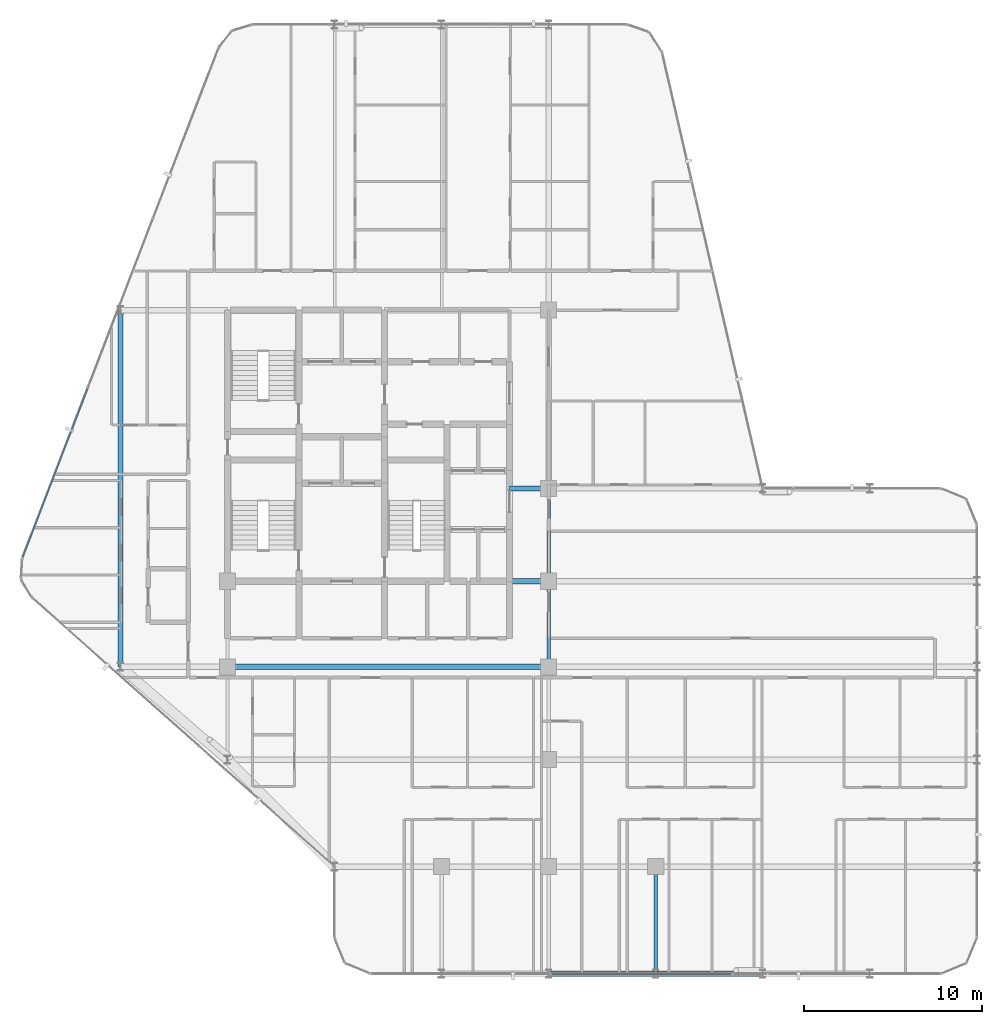
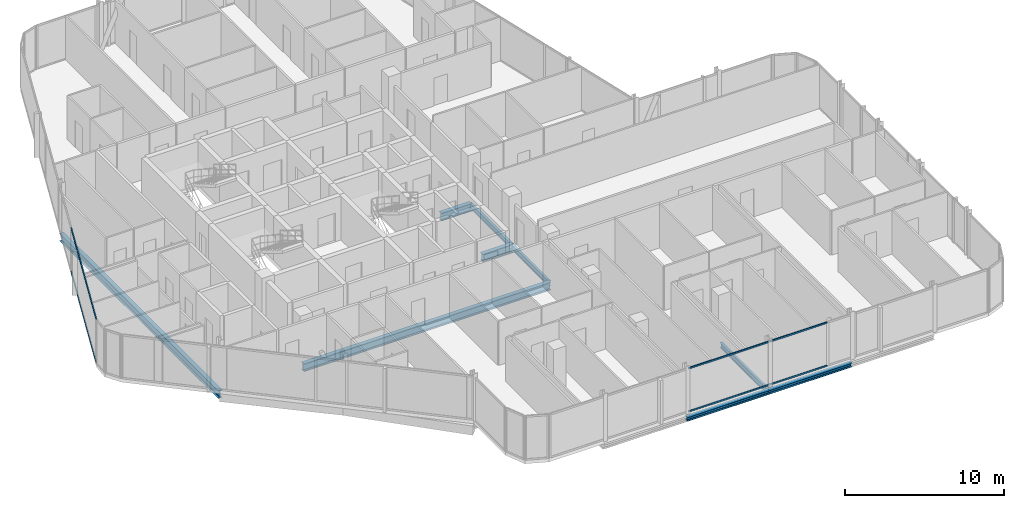
# One storey, part 9 of 29: 9 beams, 4 members, 2 elements without a shape of their own.
"""IFC4 building model written with IfcOpenShell, lengths in metres."""

from ifc_helpers import new_model, si_unit, direction, frame, origin, origin_2d, place, context, subcontext, project, spatial, hollow_rectangle, i_section, extrude, material, layer, layer_set, material_profile, profile_set, type_object, element, aggregate, save


model = new_model("IFC4")

# Units and contexts
model_context = context("Model", 3, precision=1e-05, world=origin(), true_north=direction((0.0, 1.0)))
body_context = subcontext(model_context, "Body", "Model", "MODEL_VIEW")
ifc_project = project(units=[si_unit("LENGTHUNIT", "METRE"), si_unit("AREAUNIT", "SQUARE_METRE"), si_unit("VOLUMEUNIT", "CUBIC_METRE"), si_unit("PLANEANGLEUNIT", "RADIAN"), si_unit("MASSUNIT", "GRAM", prefix="KILO")], contexts=[model_context])

# Site, building, storey
site_placement = place(None, origin())
site = spatial("IfcSite", under=ifc_project, at=site_placement, CompositionType="ELEMENT")
building_placement = place(site_placement, origin())
building = spatial("IfcBuilding", under=site, at=building_placement, Name="Keshet Zoharim Tower", CompositionType="ELEMENT")
storey_placement = place(building_placement, frame((0.0, 0.0, 180.199951171875)))
storey = spatial("IfcBuildingStorey", under=building, at=storey_placement, Name="L44", CompositionType="ELEMENT", Elevation=180.199951171875)

# Beams
ifc_material_1 = material(Name="Steel S355", Category="steel")
ifc_material_profile_1 = material_profile(ifc_material_1, i_section(OverallWidth=0.300048828125, OverallDepth=0.60009765625, WebThickness=0.015380859375, FlangeThickness=0.030029296875, FilletRadius=0.027099609375, at=origin_2d()), Name="HEB600")
ifc_profile_set_1 = profile_set([ifc_material_profile_1], Name="Steel S355")
beam_type_1 = type_object("IfcBeamType", Name="BM-CLK-HB600", PredefinedType="BEAM", material=ifc_profile_set_1)
for number, where, z_axis, x_axis, name in (
    (1, (30.800048828125, 22.699951171875, -0.60986328125), (1.0, 0.0, 0.0), (0.0, 1.0, 0.0), "L44 Core Wall Link Girder 01"),
    (2, (30.800048828125, 27.89990234375, -0.60986328125), (1.0, 0.0, 0.0), (0.0, 1.0, 0.0), "L44 Core Wall Link Girder 02"),
):
    element("IfcBeam", number, at=place(storey_placement, frame(where, z_axis=z_axis, x_axis=x_axis)), inside=storey, type_object=beam_type_1, Name=name, PredefinedType="BEAM", context=body_context, shape_type="SweptSolid", body=[
        extrude(i_section(OverallWidth=0.300048828125, OverallDepth=0.60009765625, WebThickness=0.015380859375, FlangeThickness=0.030029296875, FilletRadius=0.027099609375, at=origin_2d()), origin(), (0.0, 0.0, 1.0), 2.199951171875),
    ])
ifc_material_profile_2 = material_profile(ifc_material_1, i_section(OverallWidth=0.300048828125, OverallDepth=0.60009765625, WebThickness=0.015380859375, FlangeThickness=0.030029296875, FilletRadius=0.027099609375, at=origin_2d()), Name="HEB600")
ifc_profile_set_2 = profile_set([ifc_material_profile_2], Name="Steel S355")
beam_type_2 = type_object("IfcBeamType", Name="BM-LNG-HB600", PredefinedType="BEAM", material=ifc_profile_set_2)
beam_1_placement = place(storey_placement, frame((15.0, 17.89990234375, -0.60986328125), z_axis=(1.0, 0.0, 0.0), x_axis=(0.0, 1.0, 0.0)))
element("IfcBeam", 3, at=beam_1_placement, inside=storey, type_object=beam_type_2, Name="L44 Primary Girder X-012", PredefinedType="BEAM", context=body_context, shape_type="SweptSolid", body=[
    extrude(i_section(OverallWidth=0.300048828125, OverallDepth=0.60009765625, WebThickness=0.015380859375, FlangeThickness=0.030029296875, FilletRadius=0.027099609375, at=origin_2d()), origin(), (0.0, 0.0, 1.0), 18.0),
])
beam_2_placement = place(storey_placement, frame((9.0, 17.89990234375, -0.60986328125), z_axis=(0.0, 1.0, 0.0), x_axis=(-1.0, 0.0, 0.0)))
element("IfcBeam", 4, at=beam_2_placement, inside=storey, type_object=beam_type_2, Name="L44 Primary Girder Y-001", PredefinedType="BEAM", context=body_context, shape_type="SweptSolid", body=[
    extrude(i_section(OverallWidth=0.300048828125, OverallDepth=0.60009765625, WebThickness=0.015380859375, FlangeThickness=0.030029296875, FilletRadius=0.027099609375, at=origin_2d()), origin(), (0.0, 0.0, 1.0), 20.0),
])
ifc_material_profile_3 = material_profile(ifc_material_1, i_section(OverallWidth=0.300048828125, OverallDepth=0.300048828125, WebThickness=0.010986328125, FlangeThickness=0.01904296875, FilletRadius=0.027099609375, at=origin_2d()), Name="HEB300")
ifc_profile_set_3 = profile_set([ifc_material_profile_3], Name="Steel S355")
beam_type_3 = type_object("IfcBeamType", Name="BM-PRI-HB300", PredefinedType="BEAM", material=ifc_profile_set_3)
for number, where, z_axis, x_axis, name in (
    (5, (33.0, 0.699951171875, -0.4599609375), (1.0, 0.0, 0.0), (0.0, 1.0, 0.0), "L44 Primary Girder X-002"),
    (6, (39.0, 0.699951171875, -0.4599609375), (1.0, 0.0, 0.0), (0.0, 1.0, 0.0), "L44 Primary Girder X-003"),
):
    element("IfcBeam", number, at=place(storey_placement, frame(where, z_axis=z_axis, x_axis=x_axis)), inside=storey, type_object=beam_type_3, Name=name, PredefinedType="BEAM", context=body_context, shape_type="SweptSolid", body=[
        extrude(i_section(OverallWidth=0.300048828125, OverallDepth=0.300048828125, WebThickness=0.010986328125, FlangeThickness=0.01904296875, FilletRadius=0.027099609375, at=origin_2d()), origin(), (0.0, 0.0, 1.0), 6.0),
    ])
ifc_material_profile_4 = material_profile(ifc_material_1, i_section(OverallWidth=0.179931640625, OverallDepth=0.39990234375, WebThickness=0.008544921875, FlangeThickness=0.013427734375, FilletRadius=0.02099609375, at=origin_2d()), Name="IPE400")
ifc_profile_set_4 = profile_set([ifc_material_profile_4], Name="Steel S355")
beam_type_4 = type_object("IfcBeamType", Name="BM-PRI-IP400", PredefinedType="BEAM", material=ifc_profile_set_4)
beam_3_placement = place(storey_placement, frame((33.0, 17.89990234375, -0.510009765625), z_axis=(0.0, 1.0, 0.0), x_axis=(-1.0, 0.0, 0.0)))
element("IfcBeam", 7, at=beam_3_placement, inside=storey, type_object=beam_type_4, Name="L44 Primary Girder Y-008", PredefinedType="BEAM", context=body_context, shape_type="SweptSolid", body=[
    extrude(i_section(OverallWidth=0.179931640625, OverallDepth=0.39990234375, WebThickness=0.008544921875, FlangeThickness=0.013427734375, FilletRadius=0.02099609375, at=origin_2d()), origin(), (0.0, 0.0, 1.0), 4.800048828125),
])
beam_4_placement = place(storey_placement, frame((33.0, 22.699951171875, -0.510009765625), z_axis=(0.0, 1.0, 0.0), x_axis=(-1.0, 0.0, 0.0)))
element("IfcBeam", 8, at=beam_4_placement, inside=storey, type_object=beam_type_4, Name="L44 Primary Girder Y-009", PredefinedType="BEAM", context=body_context, shape_type="SweptSolid", body=[
    extrude(i_section(OverallWidth=0.179931640625, OverallDepth=0.39990234375, WebThickness=0.008544921875, FlangeThickness=0.013427734375, FilletRadius=0.02099609375, at=origin_2d()), origin(), (0.0, 0.0, 1.0), 5.199951171875),
])
beam_5_placement = place(storey_placement, frame((39.0, 0.699951171875, -0.510009765625), z_axis=(0.0, 1.0, 0.0), x_axis=(-1.0, 0.0, 0.0)))
element("IfcBeam", 9, at=beam_5_placement, inside=storey, type_object=beam_type_4, Name="L44 Primary Girder Y-012", PredefinedType="BEAM", context=body_context, shape_type="SweptSolid", body=[
    extrude(i_section(OverallWidth=0.179931640625, OverallDepth=0.39990234375, WebThickness=0.008544921875, FlangeThickness=0.013427734375, FilletRadius=0.02099609375, at=origin_2d()), origin(), (0.0, 0.0, 1.0), 6.0),
])

# Curtain wall, members
ifc_material_2 = material(Name="Aluminium 6063-T6", Category="aluminium")
ifc_layer = layer(ifc_material_2, 0.139892578125)
ifc_layer_set = layer_set([ifc_layer], Name="Aluminium 6063-T6")
curtain_wall_type = type_object("IfcCurtainWallType", Name="CW-SYS-05", PredefinedType="NOTDEFINED", material=ifc_layer_set)
curtain_wall_1_placement = place(storey_placement, origin())
curtain_wall_1 = element("IfcCurtainWall", 10, at=curtain_wall_1_placement, inside=storey, type_object=curtain_wall_type, Name="L44 Unitised Curtain Wall 06 Part 3", PredefinedType="NOTDEFINED")
ifc_material_profile_5 = material_profile(ifc_material_2, hollow_rectangle(XDim=0.074951171875, YDim=0.1201171875, WallThickness=0.00390625, at=origin_2d()), Name="TRN-75x120")
ifc_profile_set_5 = profile_set([ifc_material_profile_5], Name="Aluminium 6063-T6")
member_type = type_object("IfcMemberType", Name="CWT-T12", PredefinedType="USERDEFINED", material=ifc_profile_set_5)
member_1_placement = place(storey_placement, frame((43.251953125, 0.699951171875, 0.03515625), z_axis=(-1.0, 0.0, 0.0), x_axis=(0.0, -1.0, 0.0)))
member_1 = element("IfcMember", 11, at=member_1_placement, type_object=member_type, Name="CW-05 transom 1.1", ObjectType="TRANSOM", PredefinedType="USERDEFINED", context=body_context, shape_type="SweptSolid", body=[
    extrude(hollow_rectangle(XDim=0.074951171875, YDim=0.1201171875, WallThickness=0.00390625, at=origin_2d()), origin(), (0.0, 0.0, 1.0), 10.091064453125),
])
member_2_placement = place(storey_placement, frame((43.251953125, 0.699951171875, 3.344970703125), z_axis=(-1.0, 0.0, 0.0), x_axis=(0.0, -1.0, 0.0)))
member_2 = element("IfcMember", 12, at=member_2_placement, type_object=member_type, Name="CW-05 transom 1.2", ObjectType="TRANSOM", PredefinedType="USERDEFINED", context=body_context, shape_type="SweptSolid", body=[
    extrude(hollow_rectangle(XDim=0.074951171875, YDim=0.1201171875, WallThickness=0.00390625, at=origin_2d()), origin(), (0.0, 0.0, 1.0), 10.091064453125),
])
aggregate(curtain_wall_1, [member_1, member_2])

curtain_wall_2_placement = place(storey_placement, origin())
curtain_wall_2 = element("IfcCurtainWall", 13, at=curtain_wall_2_placement, inside=storey, type_object=curtain_wall_type, Name="L44 Unitised Curtain Wall 13", PredefinedType="NOTDEFINED")
member_3_placement = place(storey_placement, frame((3.522216796875, 24.058349609375, 0.03515625), z_axis=(0.358993631387, 0.93334000912, 0.0), x_axis=(-0.93334000912, 0.358993631387, 0.0)))
member_3 = element("IfcMember", 14, at=member_3_placement, type_object=member_type, Name="CW-05 transom 1.1", ObjectType="TRANSOM", PredefinedType="USERDEFINED", context=body_context, shape_type="SweptSolid", body=[
    extrude(hollow_rectangle(XDim=0.074951171875, YDim=0.1201171875, WallThickness=0.00390625, at=origin_2d()), origin(), (0.0, 0.0, 1.0), 10.1181640625),
])
member_4_placement = place(storey_placement, frame((3.522216796875, 24.058349609375, 3.344970703125), z_axis=(0.358993631387, 0.93334000912, 0.0), x_axis=(-0.93334000912, 0.358993631387, 0.0)))
member_4 = element("IfcMember", 15, at=member_4_placement, type_object=member_type, Name="CW-05 transom 1.2", ObjectType="TRANSOM", PredefinedType="USERDEFINED", context=body_context, shape_type="SweptSolid", body=[
    extrude(hollow_rectangle(XDim=0.074951171875, YDim=0.1201171875, WallThickness=0.00390625, at=origin_2d()), origin(), (0.0, 0.0, 1.0), 10.1181640625),
])
aggregate(curtain_wall_2, [member_3, member_4])

save(model, "model.ifc")
